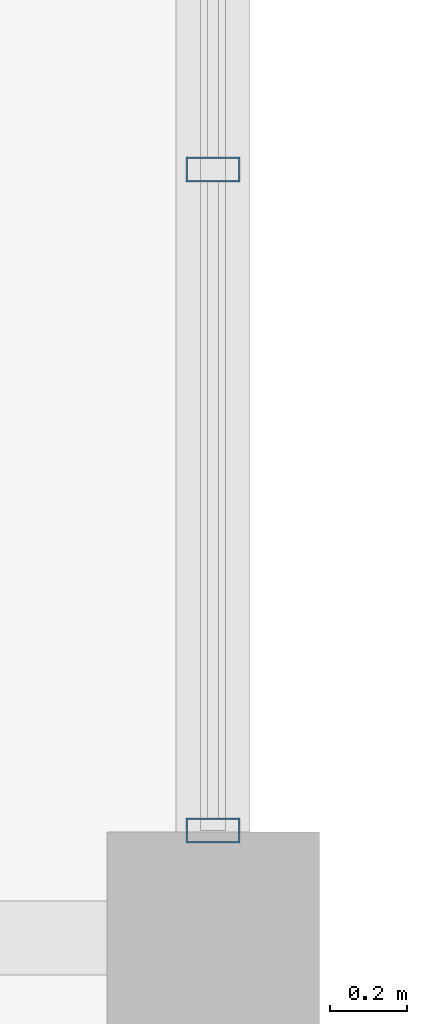
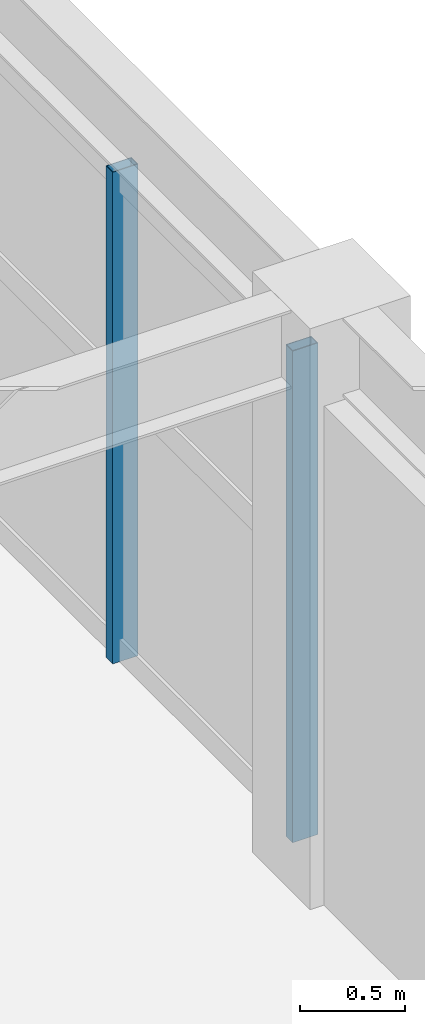
# One storey, part 75 of 121: 2 members, 1 element without a shape of its own.
"""IFC4 building model written with IfcOpenShell, lengths in metres."""

from ifc_helpers import new_model, si_unit, direction, frame, origin, origin_2d, place, context, subcontext, project, spatial, hollow_rectangle, extrude, material, material_profile, profile_set, type_object, element, aggregate, save


model = new_model("IFC4")

# Units and contexts
model_context = context("Model", 3, precision=1e-05, world=origin(), true_north=direction((0.0, 1.0)))
body_context = subcontext(model_context, "Body", "Model", "MODEL_VIEW")
ifc_project = project(units=[si_unit("LENGTHUNIT", "METRE"), si_unit("AREAUNIT", "SQUARE_METRE"), si_unit("VOLUMEUNIT", "CUBIC_METRE"), si_unit("PLANEANGLEUNIT", "RADIAN"), si_unit("MASSUNIT", "GRAM", prefix="KILO")], contexts=[model_context])

# Site, building, storey
site_placement = place(None, origin())
site = spatial("IfcSite", under=ifc_project, at=site_placement, CompositionType="ELEMENT")
building_placement = place(site_placement, origin())
building = spatial("IfcBuilding", under=site, at=building_placement, Name="Cimatlan Art Gallery", CompositionType="ELEMENT")
storey_placement = place(building_placement, frame((0.0, 0.0, 10.199951171875)))
storey = spatial("IfcBuildingStorey", under=building, at=storey_placement, Name="L02", CompositionType="ELEMENT", Elevation=10.199951171875)

# Curtain wall, members
ifc_material_1 = material(Name="Anodised bronze unitised curtain wall")
curtain_wall_type = type_object("IfcCurtainWallType", Name="CW-V-06842X02853-B4", PredefinedType="NOTDEFINED", material=ifc_material_1)
curtain_wall_placement = place(storey_placement, origin())
curtain_wall = element("IfcCurtainWall", 1, at=curtain_wall_placement, inside=storey, type_object=curtain_wall_type, Name="CW-L02-15-06-E", PredefinedType="NOTDEFINED")
ifc_material_2 = material(Name="Anodised bronze aluminium 6063-T6", Category="aluminium")
ifc_material_profile = material_profile(ifc_material_2, hollow_rectangle(XDim=0.06494140625, YDim=0.139892578125, WallThickness=0.00390625, at=origin_2d()), Name="ALU65X140X4")
ifc_profile_set = profile_set([ifc_material_profile], Name="Anodised bronze aluminium 6063-T6")
member_type = type_object("IfcMemberType", Name="CW-MUL-140", PredefinedType="MULLION", material=ifc_profile_set)
member_1_placement = place(storey_placement, frame((131.60009765625, 48.089599609375, 0.0), z_axis=(0.0, 0.0, 1.0), x_axis=(0.0, 1.0, 0.0)))
member_1 = element("IfcMember", 2, at=member_1_placement, type_object=member_type, Name="CW-L02-15-06-E-M4", PredefinedType="MULLION", context=body_context, shape_type="SweptSolid", body=[
    extrude(hollow_rectangle(XDim=0.06494140625, YDim=0.139892578125, WallThickness=0.00390625, at=origin_2d()), origin(), (0.0, 0.0, 1.0), 2.85302734375),
])
member_2_placement = place(storey_placement, frame((131.60009765625, 46.37890625, 0.0), z_axis=(0.0, 0.0, 1.0), x_axis=(0.0, 1.0, 0.0)))
member_2 = element("IfcMember", 3, at=member_2_placement, type_object=member_type, Name="CW-L02-15-06-E-M5", PredefinedType="MULLION", context=body_context, shape_type="SweptSolid", body=[
    extrude(hollow_rectangle(XDim=0.06494140625, YDim=0.139892578125, WallThickness=0.00390625, at=origin_2d()), origin(), (0.0, 0.0, 1.0), 2.85302734375),
])
aggregate(curtain_wall, [member_1, member_2])

save(model, "model.ifc")
